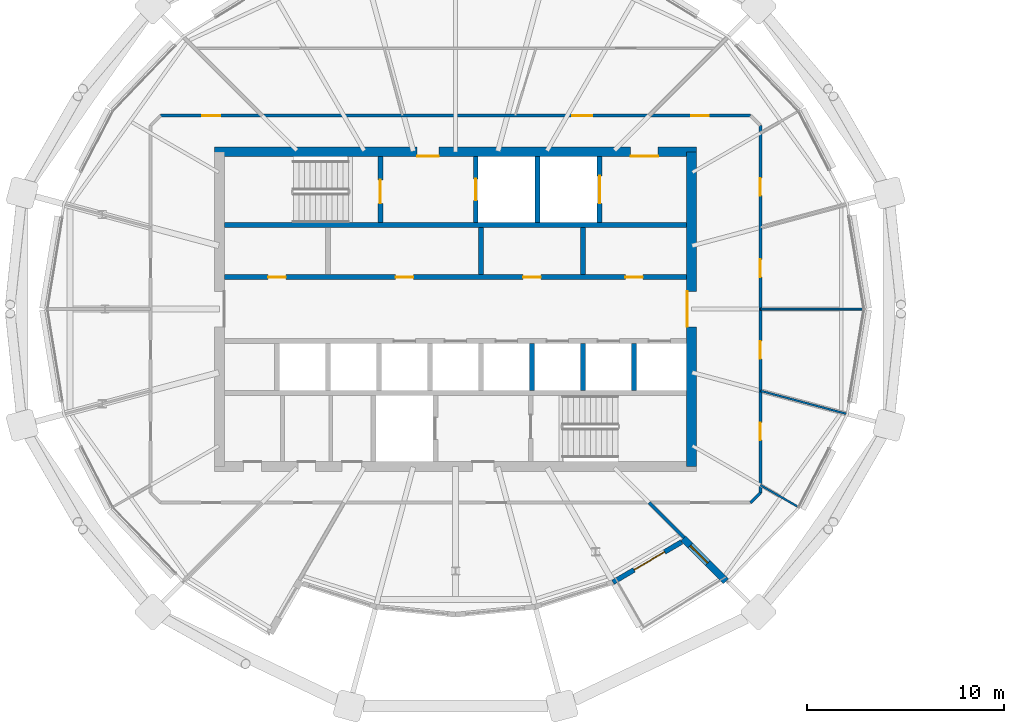
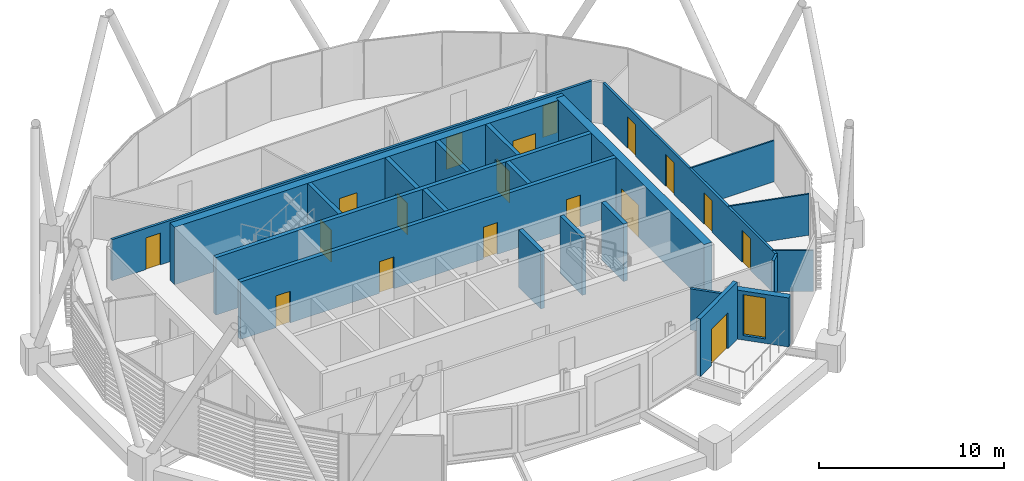
# One storey, part 22 of 34: 22 walls, 18 doors, 1 window, 19 openings.
"""IFC4 building model written with IfcOpenShell, lengths in metres."""

from ifc_helpers import new_model, si_unit, direction, frame, frame_2d, origin, place, context, subcontext, project, spatial, rectangle, extrude, material, layer, layer_set, type_object, element, fill, save


model = new_model("IFC4")

# Units and contexts
model_context = context("Model", 3, precision=1e-05, world=origin(), true_north=direction((0.0, 1.0)))
body_context = subcontext(model_context, "Body", "Model", "MODEL_VIEW")
ifc_project = project(units=[si_unit("LENGTHUNIT", "METRE"), si_unit("AREAUNIT", "SQUARE_METRE"), si_unit("VOLUMEUNIT", "CUBIC_METRE"), si_unit("PLANEANGLEUNIT", "RADIAN"), si_unit("MASSUNIT", "GRAM", prefix="KILO")], contexts=[model_context])

# Site, building, storey
site_placement = place(None, origin())
site = spatial("IfcSite", under=ifc_project, at=site_placement, CompositionType="ELEMENT")
building_placement = place(site_placement, origin())
building = spatial("IfcBuilding", under=site, at=building_placement, Name="Rimbun Link Towers", CompositionType="ELEMENT")
storey_placement = place(building_placement, frame((0.0, 0.0, 221.89990234375)))
storey = spatial("IfcBuildingStorey", under=building, at=storey_placement, Name="L54", CompositionType="ELEMENT", Elevation=221.89990234375)

# Wall, opening, door
ifc_material_1 = material(Name="Dark enamelled glass spandrel on insulated aluminium backpan", Category="aluminium")
ifc_layer_1 = layer(ifc_material_1, 0.25)
ifc_layer_set_1 = layer_set([ifc_layer_1], Name="CS dark enamelled spandrel wall 250")
wall_type_1 = type_object("IfcWallType", Name="CS dark enamelled spandrel wall 250", PredefinedType="STANDARD", material=ifc_layer_set_1)
wall_1_placement = place(storey_placement, frame((-20.258544921875, -11.844970703125, 0.0), z_axis=(0.0, 0.0, 1.0), x_axis=(-0.86231432339, -0.506373387606, 0.0)))
wall_1 = element("IfcWall", 1, at=wall_1_placement, inside=storey, type_object=wall_type_1, Name="Crease spandrel wall", PredefinedType="STANDARD", context=body_context, shape_type="SweptSolid", body=[
    extrude(rectangle(XDim=4.042724609375, YDim=0.25, at=frame_2d((2.021484375, 0.0))), origin(), (0.0, 0.0, 1.0), 3.800048828125),
])
opening_1_placement = place(wall_1_placement, frame((1.00146484375, 0.0, 0.0)))
opening_1 = element("IfcOpeningElement", 2, at=opening_1_placement, cuts=wall_1, Name="Opening ED81", PredefinedType="OPENING", context=body_context, shape_type="SweptSolid", body=[
    extrude(rectangle(XDim=1.800048828125, YDim=2.39990234375, at=frame_2d((0.89990234375, 1.199951171875))), frame((0.0, 0.135009765625, 0.0), z_axis=(0.0, -1.0, 0.0), x_axis=(1.0, 0.0, 0.0)), (0.0, 0.0, 1.0), 0.27001953125),
])
ifc_material_2 = material(Name="Aluminium framed glazed door, low-iron glass", Category="aluminium")
door_type_1 = type_object("IfcDoorType", Name="ED terrace door double leaf 1800X2400", OperationType="DOUBLE_DOOR_SINGLE_SWING", PredefinedType="DOOR", material=ifc_material_2)
door_1_placement = place(opening_1_placement, origin())
door_1 = element("IfcDoor", 3, at=door_1_placement, inside=storey, type_object=door_type_1, Name="Terrace door", OperationType="SINGLE_SWING_LEFT", OverallHeight=2.39990234375, OverallWidth=1.800048828125, PredefinedType="DOOR", context=body_context, shape_type="SweptSolid", body=[
    extrude(rectangle(XDim=1.800048828125, YDim=2.39990234375, at=frame_2d((0.89990234375, 1.199951171875))), frame((0.0, 0.02490234375, 0.0), z_axis=(0.0, -1.0, 0.0), x_axis=(1.0, 0.0, 0.0)), (0.0, 0.0, 1.0), 0.050048828125),
])
fill(opening_1, door_1)

# Wall, opening, window
ifc_material_3 = material(Name="Dark enamelled glass spandrel on insulated aluminium backpan", Category="aluminium")
ifc_layer_2 = layer(ifc_material_3, 0.3701171875)
ifc_layer_set_2 = layer_set([ifc_layer_2], Name="CS dark enamelled spandrel wall 370")
wall_type_2 = type_object("IfcWallType", Name="CS dark enamelled spandrel wall 370", PredefinedType="STANDARD", material=ifc_layer_set_2)
wall_2_placement = place(storey_placement, frame((-17.9951171875, -13.846923828125, 0.0), z_axis=(0.0, 0.0, 1.0), x_axis=(-0.707106781187, 0.707106781187, 0.0)))
wall_2 = element("IfcWall", 4, at=wall_2_placement, inside=storey, type_object=wall_type_2, Name="Crease spandrel wall", PredefinedType="STANDARD", context=body_context, shape_type="SweptSolid", body=[
    extrude(rectangle(XDim=3.080078125, YDim=0.3701171875, at=frame_2d((1.5400390625, 0.0))), origin(), (0.0, 0.0, 1.0), 3.24365234375),
])
opening_2_placement = place(wall_2_placement, frame((1.322265625, 0.0, 0.300048828125)))
opening_2 = element("IfcOpeningElement", 5, at=opening_2_placement, cuts=wall_2, Name="Opening WR12H270", PredefinedType="OPENING", context=body_context, shape_type="SweptSolid", body=[
    extrude(rectangle(XDim=1.25, YDim=2.699951171875, at=frame_2d((0.625, 1.35009765625))), frame((0.0, 0.195068359375, 0.0), z_axis=(0.0, -1.0, 0.0), x_axis=(1.0, 0.0, 0.0)), (0.0, 0.0, 1.0), 0.39013671875),
])
ifc_material_4 = material(Name="Aluminium framed fixed window, dark tinted low-e glass", Category="aluminium")
window_type = type_object("IfcWindowType", Name="WR ribbon window 1250X2700", PartitioningType="SINGLE_PANEL", PredefinedType="WINDOW", material=ifc_material_4)
window_placement = place(opening_2_placement, origin())
window = element("IfcWindow", 6, at=window_placement, inside=storey, type_object=window_type, Name="Crease ribbon window", OverallHeight=2.699951171875, OverallWidth=1.25, PartitioningType="SINGLE_PANEL", PredefinedType="WINDOW", context=body_context, shape_type="SweptSolid", body=[
    extrude(rectangle(XDim=1.25, YDim=2.699951171875, at=frame_2d((0.625, 1.35009765625))), frame((0.0, 0.030029296875, 0.0), z_axis=(0.0, -1.0, 0.0), x_axis=(1.0, 0.0, 0.0)), (0.0, 0.0, 1.0), 0.06005859375),
])
fill(opening_2, window)

# Wall, openings, doors
ifc_material_5 = material(Name="Concrete C60/75", Category="concrete")
ifc_layer_3 = layer(ifc_material_5, 0.5)
ifc_layer_set_3 = layer_set([ifc_layer_3], Name="Core shear wall 500")
wall_type_3 = type_object("IfcWallType", Name="Core shear wall 500", PredefinedType="SHEAR", material=ifc_layer_set_3)
wall_3_placement = place(storey_placement, frame((-44.0, 8.0, 0.0), z_axis=(0.0, 0.0, 1.0), x_axis=(1.0, 0.0, 0.0)))
wall_3 = element("IfcWall", 7, at=wall_3_placement, inside=storey, type_object=wall_type_3, Name="L54 T1 core wall N", PredefinedType="SHEAR", context=body_context, shape_type="SweptSolid", body=[
    extrude(rectangle(XDim=24.5, YDim=0.5, at=frame_2d((12.25, 0.0))), origin(), (0.0, 0.0, 1.0), 3.800048828125),
])
opening_3_placement = place(wall_3_placement, frame((10.300048828125, 0.0, 0.0)))
opening_3 = element("IfcOpeningElement", 8, at=opening_3_placement, cuts=wall_3, Name="Opening C1DCF01N", PredefinedType="OPENING", context=body_context, shape_type="SweptSolid", body=[
    extrude(rectangle(XDim=1.10009765625, YDim=2.10009765625, at=frame_2d((0.550048828125, 1.050048828125))), frame((0.0, 0.260009765625, 0.0), z_axis=(0.0, -1.0, 0.0), x_axis=(1.0, 0.0, 0.0)), (0.0, 0.0, 1.0), 0.52001953125),
])
opening_4_placement = place(wall_3_placement, frame((21.14990234375, 0.0, 0.0)))
opening_4 = element("IfcOpeningElement", 9, at=opening_4_placement, cuts=wall_3, Name="Opening C1DSL02N", PredefinedType="OPENING", context=body_context, shape_type="SweptSolid", body=[
    extrude(rectangle(XDim=1.39990234375, YDim=2.10009765625, at=frame_2d((0.699951171875, 1.050048828125))), frame((0.0, 0.260009765625, 0.0), z_axis=(0.0, -1.0, 0.0), x_axis=(1.0, 0.0, 0.0)), (0.0, 0.0, 1.0), 0.52001953125),
])
ifc_material_6 = material(Name="Steel fire door set", Category="steel")
door_type_2 = type_object("IfcDoorType", Name="Core fire door single", OperationType="SINGLE_SWING_LEFT", PredefinedType="DOOR", material=ifc_material_6)
door_2_placement = place(opening_3_placement, origin())
door_2 = element("IfcDoor", 10, at=door_2_placement, inside=storey, type_object=door_type_2, Name="L54 T1 firefighting lobby n door", OperationType="SINGLE_SWING_LEFT", OverallHeight=2.10009765625, OverallWidth=1.10009765625, PredefinedType="DOOR", context=body_context, shape_type="SweptSolid", body=[
    extrude(rectangle(XDim=1.10009765625, YDim=2.10009765625, at=frame_2d((0.550048828125, 1.050048828125))), frame((0.0, -0.2001953125, 0.0), z_axis=(0.0, -1.0, 0.0), x_axis=(1.0, 0.0, 0.0)), (0.0, 0.0, 1.0), 0.050048828125),
])
fill(opening_3, door_2)
ifc_material_7 = material(Name="Steel fire door set", Category="steel")
door_type_3 = type_object("IfcDoorType", Name="Service lobby door double", OperationType="DOUBLE_DOOR_SINGLE_SWING", PredefinedType="DOOR", material=ifc_material_7)
door_3_placement = place(opening_4_placement, origin())
door_3 = element("IfcDoor", 11, at=door_3_placement, inside=storey, type_object=door_type_3, Name="L54 T1 service lobby door", OperationType="DOUBLE_DOOR_SINGLE_SWING", OverallHeight=2.10009765625, OverallWidth=1.39990234375, PredefinedType="DOOR", context=body_context, shape_type="SweptSolid", body=[
    extrude(rectangle(XDim=1.39990234375, YDim=2.10009765625, at=frame_2d((0.699951171875, 1.050048828125))), frame((0.0, -0.2001953125, 0.0), z_axis=(0.0, -1.0, 0.0), x_axis=(1.0, 0.0, 0.0)), (0.0, 0.0, 1.0), 0.050048828125),
])
fill(opening_4, door_3)

# Wall, opening, door
wall_4_placement = place(storey_placement, frame((-19.75, -8.0, 0.0), z_axis=(0.0, 0.0, 1.0), x_axis=(0.0, 1.0, 0.0)))
wall_4 = element("IfcWall", 12, at=wall_4_placement, inside=storey, type_object=wall_type_3, Name="L54 T1 core wall E", PredefinedType="SHEAR", context=body_context, shape_type="SweptSolid", body=[
    extrude(rectangle(XDim=16.0, YDim=0.5, at=frame_2d((8.0, 0.0))), origin(), (0.0, 0.0, 1.0), 3.800048828125),
])
opening_5_placement = place(wall_4_placement, frame((7.10009765625, 0.0, 0.0)))
opening_5 = element("IfcOpeningElement", 13, at=opening_5_placement, cuts=wall_4, Name="Opening C1DCL01E", PredefinedType="OPENING", context=body_context, shape_type="SweptSolid", body=[
    extrude(rectangle(XDim=1.800048828125, YDim=2.10009765625, at=frame_2d((0.89990234375, 1.050048828125))), frame((0.0, 0.260009765625, 0.0), z_axis=(0.0, -1.0, 0.0), x_axis=(1.0, 0.0, 0.0)), (0.0, 0.0, 1.0), 0.52001953125),
])
ifc_material_8 = material(Name="Steel fire door set", Category="steel")
door_type_4 = type_object("IfcDoorType", Name="Core lobby door double", OperationType="DOUBLE_DOOR_SINGLE_SWING", PredefinedType="DOOR", material=ifc_material_8)
door_4_placement = place(opening_5_placement, origin())
door_4 = element("IfcDoor", 14, at=door_4_placement, inside=storey, type_object=door_type_4, Name="L54 T1 lift lobby door", OperationType="DOUBLE_DOOR_SINGLE_SWING", OverallHeight=2.10009765625, OverallWidth=1.800048828125, PredefinedType="DOOR", context=body_context, shape_type="SweptSolid", body=[
    extrude(rectangle(XDim=1.800048828125, YDim=2.10009765625, at=frame_2d((0.89990234375, 1.050048828125))), frame((0.0, 0.25, 0.0), z_axis=(0.0, -1.0, 0.0), x_axis=(1.0, 0.0, 0.0)), (0.0, 0.0, 1.0), 0.050048828125),
])
fill(opening_5, door_4)

# Wall, openings, doors
ifc_material_9 = material(Name="Plasterboard on steel stud, mineral wool", Category="steel")
ifc_layer_4 = layer(ifc_material_9, 0.14990234375)
ifc_layer_set_4 = layer_set([ifc_layer_4], Name="Corridor wall EI 30 150 mm")
wall_type_4 = type_object("IfcWallType", Name="Corridor wall EI 30 150 mm", PredefinedType="PARTITIONING", material=ifc_layer_set_4)
wall_5_placement = place(storey_placement, frame((-46.753662109375, 9.844970703125, 0.0), z_axis=(0.0, 0.0, 1.0), x_axis=(1.0, 0.0, 0.0)))
wall_5 = element("IfcWall", 15, at=wall_5_placement, inside=storey, type_object=wall_type_4, Name="Corridor wall EI 30 150 mm", PredefinedType="PARTITIONING", context=body_context, shape_type="SweptSolid", body=[
    extrude(rectangle(XDim=30.00732421875, YDim=0.14990234375, at=frame_2d((15.003662109375, 0.0))), origin(), (0.0, 0.0, 1.0), 2.72216796875),
])
opening_6_placement = place(wall_5_placement, frame((26.97802734375, 0.0, 0.0)))
opening_6 = element("IfcOpeningElement", 16, at=opening_6_placement, cuts=wall_5, Name="Opening D02", PredefinedType="OPENING", context=body_context, shape_type="SweptSolid", body=[
    extrude(rectangle(XDim=0.89990234375, YDim=2.10009765625, at=frame_2d((0.449951171875, 1.050048828125))), frame((0.0, 0.0849609375, 0.0), z_axis=(0.0, -1.0, 0.0), x_axis=(1.0, 0.0, 0.0)), (0.0, 0.0, 1.0), 0.169921875),
])
opening_7_placement = place(wall_5_placement, frame((20.942138671875, 0.0, 0.0)))
opening_7 = element("IfcOpeningElement", 17, at=opening_7_placement, cuts=wall_5, Name="Opening D01", PredefinedType="OPENING", context=body_context, shape_type="SweptSolid", body=[
    extrude(rectangle(XDim=1.0, YDim=2.10009765625, at=frame_2d((0.5, 1.050048828125))), frame((0.0, 0.0849609375, 0.0), z_axis=(0.0, -1.0, 0.0), x_axis=(1.0, 0.0, 0.0)), (0.0, 0.0, 1.0), 0.169921875),
])
opening_8_placement = place(wall_5_placement, frame((2.12939453125, 0.0, 0.0)))
opening_8 = element("IfcOpeningElement", 18, at=opening_8_placement, cuts=wall_5, Name="Opening D02", PredefinedType="OPENING", context=body_context, shape_type="SweptSolid", body=[
    extrude(rectangle(XDim=0.89990234375, YDim=2.10009765625, at=frame_2d((0.449951171875, 1.050048828125))), frame((0.0, 0.0849609375, 0.0), z_axis=(0.0, -1.0, 0.0), x_axis=(1.0, 0.0, 0.0)), (0.0, 0.0, 1.0), 0.169921875),
])
ifc_material_10 = material(Name="Fire-resisting timber door leaf", Category="wood")
door_type_5 = type_object("IfcDoorType", Name="Fire door FD30S 1000", OperationType="NOTDEFINED", PredefinedType="DOOR", material=ifc_material_10)
door_5_placement = place(opening_7_placement, origin())
door_5 = element("IfcDoor", 19, at=door_5_placement, inside=storey, type_object=door_type_5, Name="Fire door FD30S 1000 to Reception", OperationType="SINGLE_SWING_LEFT", OverallHeight=2.10009765625, OverallWidth=1.0, PredefinedType="DOOR", context=body_context, shape_type="SweptSolid", body=[
    extrude(rectangle(XDim=1.0, YDim=2.10009765625, at=frame_2d((0.5, 1.050048828125))), frame((0.0, 0.02490234375, 0.0), z_axis=(0.0, -1.0, 0.0), x_axis=(1.0, 0.0, 0.0)), (0.0, 0.0, 1.0), 0.050048828125),
])
fill(opening_7, door_5)
ifc_material_11 = material(Name="Fire-resisting timber door leaf", Category="wood")
door_type_6 = type_object("IfcDoorType", Name="Fire door FD30S 900", OperationType="NOTDEFINED", PredefinedType="DOOR", material=ifc_material_11)
door_6_placement = place(opening_6_placement, origin())
door_6 = element("IfcDoor", 20, at=door_6_placement, inside=storey, type_object=door_type_6, Name="Fire door FD30S 900 to Executive office", OperationType="SINGLE_SWING_RIGHT", OverallHeight=2.10009765625, OverallWidth=0.89990234375, PredefinedType="DOOR", context=body_context, shape_type="SweptSolid", body=[
    extrude(rectangle(XDim=0.89990234375, YDim=2.10009765625, at=frame_2d((0.449951171875, 1.050048828125))), frame((0.0, 0.02490234375, 0.0), z_axis=(0.0, -1.0, 0.0), x_axis=(1.0, 0.0, 0.0)), (0.0, 0.0, 1.0), 0.050048828125),
])
fill(opening_6, door_6)
door_7_placement = place(opening_8_placement, origin())
door_7 = element("IfcDoor", 21, at=door_7_placement, inside=storey, type_object=door_type_6, Name="Fire door FD30S 900 to Boardroom", OperationType="SINGLE_SWING_RIGHT", OverallHeight=2.10009765625, OverallWidth=0.89990234375, PredefinedType="DOOR", context=body_context, shape_type="SweptSolid", body=[
    extrude(rectangle(XDim=0.89990234375, YDim=2.10009765625, at=frame_2d((0.449951171875, 1.050048828125))), frame((0.0, 0.02490234375, 0.0), z_axis=(0.0, -1.0, 0.0), x_axis=(1.0, 0.0, 0.0)), (0.0, 0.0, 1.0), 0.050048828125),
])
fill(opening_8, door_7)

wall_6_placement = place(storey_placement, frame((-16.2451171875, 9.34375, 0.0), z_axis=(0.0, 0.0, 1.0), x_axis=(0.0, -1.0, 0.0)))
wall_6 = element("IfcWall", 22, at=wall_6_placement, inside=storey, type_object=wall_type_4, Name="Corridor wall EI 30 150 mm", PredefinedType="PARTITIONING", context=body_context, shape_type="SweptSolid", body=[
    extrude(rectangle(XDim=18.6875, YDim=0.14990234375, at=frame_2d((9.34375, 0.0))), origin(), (0.0, 0.0, 1.0), 2.72216796875),
])
opening_9_placement = place(wall_6_placement, frame((15.111083984375, 0.0, 0.0)))
opening_9 = element("IfcOpeningElement", 23, at=opening_9_placement, cuts=wall_6, Name="Opening D02", PredefinedType="OPENING", context=body_context, shape_type="SweptSolid", body=[
    extrude(rectangle(XDim=0.89990234375, YDim=2.10009765625, at=frame_2d((0.449951171875, 1.050048828125))), frame((0.0, 0.0849609375, 0.0), z_axis=(0.0, -1.0, 0.0), x_axis=(1.0, 0.0, 0.0)), (0.0, 0.0, 1.0), 0.169921875),
])
opening_10_placement = place(wall_6_placement, frame((10.970947265625, 0.0, 0.0)))
opening_10 = element("IfcOpeningElement", 24, at=opening_10_placement, cuts=wall_6, Name="Opening D02", PredefinedType="OPENING", context=body_context, shape_type="SweptSolid", body=[
    extrude(rectangle(XDim=0.89990234375, YDim=2.10009765625, at=frame_2d((0.449951171875, 1.050048828125))), frame((0.0, 0.0849609375, 0.0), z_axis=(0.0, -1.0, 0.0), x_axis=(1.0, 0.0, 0.0)), (0.0, 0.0, 1.0), 0.169921875),
])
opening_11_placement = place(wall_6_placement, frame((6.81640625, 0.0, 0.0)))
opening_11 = element("IfcOpeningElement", 25, at=opening_11_placement, cuts=wall_6, Name="Opening D02", PredefinedType="OPENING", context=body_context, shape_type="SweptSolid", body=[
    extrude(rectangle(XDim=0.89990234375, YDim=2.10009765625, at=frame_2d((0.449951171875, 1.050048828125))), frame((0.0, 0.0849609375, 0.0), z_axis=(0.0, -1.0, 0.0), x_axis=(1.0, 0.0, 0.0)), (0.0, 0.0, 1.0), 0.169921875),
])
opening_12_placement = place(wall_6_placement, frame((2.676513671875, 0.0, 0.0)))
opening_12 = element("IfcOpeningElement", 26, at=opening_12_placement, cuts=wall_6, Name="Opening D02", PredefinedType="OPENING", context=body_context, shape_type="SweptSolid", body=[
    extrude(rectangle(XDim=0.89990234375, YDim=2.10009765625, at=frame_2d((0.449951171875, 1.050048828125))), frame((0.0, 0.0849609375, 0.0), z_axis=(0.0, -1.0, 0.0), x_axis=(1.0, 0.0, 0.0)), (0.0, 0.0, 1.0), 0.169921875),
])
door_8_placement = place(opening_9_placement, origin())
door_8 = element("IfcDoor", 27, at=door_8_placement, inside=storey, type_object=door_type_6, Name="Fire door FD30S 900 to Executive office", OperationType="SINGLE_SWING_RIGHT", OverallHeight=2.10009765625, OverallWidth=0.89990234375, PredefinedType="DOOR", context=body_context, shape_type="SweptSolid", body=[
    extrude(rectangle(XDim=0.89990234375, YDim=2.10009765625, at=frame_2d((0.449951171875, 1.050048828125))), frame((0.0, 0.02490234375, 0.0), z_axis=(0.0, -1.0, 0.0), x_axis=(1.0, 0.0, 0.0)), (0.0, 0.0, 1.0), 0.050048828125),
])
fill(opening_9, door_8)
door_9_placement = place(opening_10_placement, origin())
door_9 = element("IfcDoor", 28, at=door_9_placement, inside=storey, type_object=door_type_6, Name="Fire door FD30S 900 to Open office", OperationType="SINGLE_SWING_LEFT", OverallHeight=2.10009765625, OverallWidth=0.89990234375, PredefinedType="DOOR", context=body_context, shape_type="SweptSolid", body=[
    extrude(rectangle(XDim=0.89990234375, YDim=2.10009765625, at=frame_2d((0.449951171875, 1.050048828125))), frame((0.0, 0.02490234375, 0.0), z_axis=(0.0, -1.0, 0.0), x_axis=(1.0, 0.0, 0.0)), (0.0, 0.0, 1.0), 0.050048828125),
])
fill(opening_10, door_9)
door_10_placement = place(opening_11_placement, origin())
door_10 = element("IfcDoor", 29, at=door_10_placement, inside=storey, type_object=door_type_6, Name="Fire door FD30S 900 to Boardroom", OperationType="SINGLE_SWING_RIGHT", OverallHeight=2.10009765625, OverallWidth=0.89990234375, PredefinedType="DOOR", context=body_context, shape_type="SweptSolid", body=[
    extrude(rectangle(XDim=0.89990234375, YDim=2.10009765625, at=frame_2d((0.449951171875, 1.050048828125))), frame((0.0, 0.02490234375, 0.0), z_axis=(0.0, -1.0, 0.0), x_axis=(1.0, 0.0, 0.0)), (0.0, 0.0, 1.0), 0.050048828125),
])
fill(opening_11, door_10)
door_11_placement = place(opening_12_placement, origin())
door_11 = element("IfcDoor", 30, at=door_11_placement, inside=storey, type_object=door_type_6, Name="Fire door FD30S 900 to Meeting room", OperationType="SINGLE_SWING_LEFT", OverallHeight=2.10009765625, OverallWidth=0.89990234375, PredefinedType="DOOR", context=body_context, shape_type="SweptSolid", body=[
    extrude(rectangle(XDim=0.89990234375, YDim=2.10009765625, at=frame_2d((0.449951171875, 1.050048828125))), frame((0.0, 0.02490234375, 0.0), z_axis=(0.0, -1.0, 0.0), x_axis=(1.0, 0.0, 0.0)), (0.0, 0.0, 1.0), 0.050048828125),
])
fill(opening_12, door_11)

# Walls
wall_7_placement = place(storey_placement, frame((-16.746337890625, -9.844970703125, 0.0), z_axis=(0.0, 0.0, 1.0), x_axis=(0.707106781187, 0.707106781187, 0.0)))
element("IfcWall", 31, at=wall_7_placement, inside=storey, type_object=wall_type_4, Name="Corridor wall EI 30 150 mm", PredefinedType="PARTITIONING", context=body_context, shape_type="SweptSolid", body=[
    extrude(rectangle(XDim=0.708740234375, YDim=0.14990234375, at=frame_2d((0.3544921875, 0.0))), origin(), (0.0, 0.0, 1.0), 2.72216796875),
])
ifc_material_12 = material(Name="Plasterboard on steel stud", Category="steel")
ifc_layer_5 = layer(ifc_material_12, 0.10009765625)
ifc_layer_set_5 = layer_set([ifc_layer_5], Name="Plasterboard partition 100 mm")
wall_type_5 = type_object("IfcWallType", Name="Plasterboard partition 100 mm", PredefinedType="PARTITIONING", material=ifc_layer_set_5)
wall_8_placement = place(storey_placement, frame((-14.331787109375, -10.056396484375, 0.0), z_axis=(0.0, 0.0, 1.0), x_axis=(-0.866058613861, 0.499942474047, 0.0)))
element("IfcWall", 32, at=wall_8_placement, inside=storey, type_object=wall_type_5, Name="Plasterboard partition 100 mm", PredefinedType="PARTITIONING", context=body_context, shape_type="SweptSolid", body=[
    extrude(rectangle(XDim=2.209228515625, YDim=0.10009765625, at=frame_2d((1.1044921875, 0.0))), origin(), (0.0, 0.0, 1.0), 2.72216796875),
])
wall_9_placement = place(storey_placement, frame((-11.8828125, -5.323486328125, 0.0), z_axis=(0.0, 0.0, 1.0), x_axis=(-0.965921990313, 0.258833360735, 0.0)))
element("IfcWall", 33, at=wall_9_placement, inside=storey, type_object=wall_type_5, Name="Plasterboard partition 100 mm", PredefinedType="PARTITIONING", context=body_context, shape_type="SweptSolid", body=[
    extrude(rectangle(XDim=4.51611328125, YDim=0.10009765625, at=frame_2d((2.258056640625, 0.0))), origin(), (0.0, 0.0, 1.0), 2.72216796875),
])
wall_10_placement = place(storey_placement, frame((-11.00732421875, 0.0, 0.0), z_axis=(0.0, 0.0, 1.0), x_axis=(-1.0, 0.0, 0.0)))
element("IfcWall", 34, at=wall_10_placement, inside=storey, type_object=wall_type_5, Name="Plasterboard partition 100 mm", PredefinedType="PARTITIONING", context=body_context, shape_type="SweptSolid", body=[
    extrude(rectangle(XDim=5.23779296875, YDim=0.10009765625, at=frame_2d((2.618896484375, 0.0))), origin(), (0.0, 0.0, 1.0), 2.72216796875),
])
ifc_material_13 = material(Name="Concrete C60/75", Category="concrete")
ifc_layer_6 = layer(ifc_material_13, 0.25)
ifc_layer_set_6 = layer_set([ifc_layer_6], Name="Shaft wall 250")
wall_type_6 = type_object("IfcWallType", Name="Shaft wall 250", PredefinedType="SHEAR", material=ifc_layer_set_6)
wall_11_placement = place(storey_placement, frame((-43.5, 4.27490234375, 0.0), z_axis=(0.0, 0.0, 1.0), x_axis=(1.0, 0.0, 0.0)))
element("IfcWall", 35, at=wall_11_placement, inside=storey, type_object=wall_type_6, Name="L54 T1 core wall BN", PredefinedType="SHEAR", context=body_context, shape_type="SweptSolid", body=[
    extrude(rectangle(XDim=23.5, YDim=0.25, at=frame_2d((11.75, 0.0))), origin(), (0.0, 0.0, 1.0), 3.800048828125),
])

# Wall, openings, doors
wall_12_placement = place(storey_placement, frame((-43.5, 1.625, 0.0), z_axis=(0.0, 0.0, 1.0), x_axis=(1.0, 0.0, 0.0)))
wall_12 = element("IfcWall", 36, at=wall_12_placement, inside=storey, type_object=wall_type_6, Name="L54 T1 core wall FN", PredefinedType="SHEAR", context=body_context, shape_type="SweptSolid", body=[
    extrude(rectangle(XDim=23.5, YDim=0.25, at=frame_2d((11.75, 0.0))), origin(), (0.0, 0.0, 1.0), 3.800048828125),
])
opening_13_placement = place(wall_12_placement, frame((2.219482421875, 0.0, 0.0)))
opening_13 = element("IfcOpeningElement", 37, at=opening_13_placement, cuts=wall_12, Name="Opening C1DRS01FN", PredefinedType="OPENING", context=body_context, shape_type="SweptSolid", body=[
    extrude(rectangle(XDim=0.89990234375, YDim=2.10009765625, at=frame_2d((0.449951171875, 1.050048828125))), frame((0.0, 0.135009765625, 0.0), z_axis=(0.0, -1.0, 0.0), x_axis=(1.0, 0.0, 0.0)), (0.0, 0.0, 1.0), 0.27001953125),
])
opening_14_placement = place(wall_12_placement, frame((8.70556640625, 0.0, 0.0)))
opening_14 = element("IfcOpeningElement", 38, at=opening_14_placement, cuts=wall_12, Name="Opening C1DRS02FN", PredefinedType="OPENING", context=body_context, shape_type="SweptSolid", body=[
    extrude(rectangle(XDim=0.89990234375, YDim=2.10009765625, at=frame_2d((0.449951171875, 1.050048828125))), frame((0.0, 0.135009765625, 0.0), z_axis=(0.0, -1.0, 0.0), x_axis=(1.0, 0.0, 0.0)), (0.0, 0.0, 1.0), 0.27001953125),
])
opening_15_placement = place(wall_12_placement, frame((15.191650390625, 0.0, 0.0)))
opening_15 = element("IfcOpeningElement", 39, at=opening_15_placement, cuts=wall_12, Name="Opening C1DRS03FN", PredefinedType="OPENING", context=body_context, shape_type="SweptSolid", body=[
    extrude(rectangle(XDim=0.89990234375, YDim=2.10009765625, at=frame_2d((0.449951171875, 1.050048828125))), frame((0.0, 0.135009765625, 0.0), z_axis=(0.0, -1.0, 0.0), x_axis=(1.0, 0.0, 0.0)), (0.0, 0.0, 1.0), 0.27001953125),
])
opening_16_placement = place(wall_12_placement, frame((20.380615234375, 0.0, 0.0)))
opening_16 = element("IfcOpeningElement", 40, at=opening_16_placement, cuts=wall_12, Name="Opening C1DRS04FN", PredefinedType="OPENING", context=body_context, shape_type="SweptSolid", body=[
    extrude(rectangle(XDim=0.89990234375, YDim=2.10009765625, at=frame_2d((0.449951171875, 1.050048828125))), frame((0.0, 0.135009765625, 0.0), z_axis=(0.0, -1.0, 0.0), x_axis=(1.0, 0.0, 0.0)), (0.0, 0.0, 1.0), 0.27001953125),
])
ifc_material_14 = material(Name="Steel fire door set", Category="steel")
door_type_7 = type_object("IfcDoorType", Name="Core riser door", OperationType="SINGLE_SWING_LEFT", PredefinedType="DOOR", material=ifc_material_14)
door_12_placement = place(opening_13_placement, origin())
door_12 = element("IfcDoor", 41, at=door_12_placement, inside=storey, type_object=door_type_7, Name="L54 T1 first aid room door", OperationType="SINGLE_SWING_LEFT", OverallHeight=2.10009765625, OverallWidth=0.89990234375, PredefinedType="DOOR", context=body_context, shape_type="SweptSolid", body=[
    extrude(rectangle(XDim=0.89990234375, YDim=2.10009765625, at=frame_2d((0.449951171875, 1.050048828125))), frame((0.0, 0.02490234375, 0.0), z_axis=(0.0, -1.0, 0.0), x_axis=(1.0, 0.0, 0.0)), (0.0, 0.0, 1.0), 0.050048828125),
])
fill(opening_13, door_12)
door_13_placement = place(opening_14_placement, origin())
door_13 = element("IfcDoor", 42, at=door_13_placement, inside=storey, type_object=door_type_7, Name="L54 T1 plant room door", OperationType="SINGLE_SWING_LEFT", OverallHeight=2.10009765625, OverallWidth=0.89990234375, PredefinedType="DOOR", context=body_context, shape_type="SweptSolid", body=[
    extrude(rectangle(XDim=0.89990234375, YDim=2.10009765625, at=frame_2d((0.449951171875, 1.050048828125))), frame((0.0, 0.02490234375, 0.0), z_axis=(0.0, -1.0, 0.0), x_axis=(1.0, 0.0, 0.0)), (0.0, 0.0, 1.0), 0.050048828125),
])
fill(opening_14, door_13)
door_14_placement = place(opening_15_placement, origin())
door_14 = element("IfcDoor", 43, at=door_14_placement, inside=storey, type_object=door_type_7, Name="L54 T1 archive store door", OperationType="SINGLE_SWING_LEFT", OverallHeight=2.10009765625, OverallWidth=0.89990234375, PredefinedType="DOOR", context=body_context, shape_type="SweptSolid", body=[
    extrude(rectangle(XDim=0.89990234375, YDim=2.10009765625, at=frame_2d((0.449951171875, 1.050048828125))), frame((0.0, 0.02490234375, 0.0), z_axis=(0.0, -1.0, 0.0), x_axis=(1.0, 0.0, 0.0)), (0.0, 0.0, 1.0), 0.050048828125),
])
fill(opening_15, door_14)
door_15_placement = place(opening_16_placement, origin())
door_15 = element("IfcDoor", 44, at=door_15_placement, inside=storey, type_object=door_type_7, Name="L54 T1 pantry door", OperationType="SINGLE_SWING_RIGHT", OverallHeight=2.10009765625, OverallWidth=0.89990234375, PredefinedType="DOOR", context=body_context, shape_type="SweptSolid", body=[
    extrude(rectangle(XDim=0.89990234375, YDim=2.10009765625, at=frame_2d((0.449951171875, 1.050048828125))), frame((0.0, 0.02490234375, 0.0), z_axis=(0.0, -1.0, 0.0), x_axis=(1.0, 0.0, 0.0)), (0.0, 0.0, 1.0), 0.050048828125),
])
fill(opening_16, door_15)

# Walls
for number, where, z_axis, x_axis, name in (
    (45, (-30.452880859375, 1.75, 0.0), (0.0, 0.0, 1.0), (0.0, 1.0, 0.0), "L54 T1 core wall DN4"),
    (46, (-25.263916015625, 1.75, 0.0), (0.0, 0.0, 1.0), (0.0, 1.0, 0.0), "L54 T1 core wall DN6"),
    (47, (-27.8583984375, -4.14990234375, 0.0), (0.0, 0.0, 1.0), (0.0, 1.0, 0.0), "L54 T1 core wall DS5"),
    (48, (-25.263916015625, -4.14990234375, 0.0), (0.0, 0.0, 1.0), (0.0, 1.0, 0.0), "L54 T1 core wall DS6"),
    (49, (-22.66943359375, -4.14990234375, 0.0), (0.0, 0.0, 1.0), (0.0, 1.0, 0.0), "L54 T1 core wall DS7"),
):
    element("IfcWall", number, at=place(storey_placement, frame(where, z_axis=z_axis, x_axis=x_axis)), inside=storey, type_object=wall_type_6, Name=name, PredefinedType="SHEAR", context=body_context, shape_type="SweptSolid", body=[
        extrude(rectangle(XDim=2.39990234375, YDim=0.25, at=frame_2d((1.199951171875, 0.0))), origin(), (0.0, 0.0, 1.0), 3.800048828125),
    ])

# Wall, opening, door
wall_13_placement = place(storey_placement, frame((-35.574951171875, 4.39990234375, 0.0), z_axis=(0.0, 0.0, 1.0), x_axis=(0.0, 1.0, 0.0)))
wall_13 = element("IfcWall", 50, at=wall_13_placement, inside=storey, type_object=wall_type_6, Name="L54 T1 core wall A1", PredefinedType="SHEAR", context=body_context, shape_type="SweptSolid", body=[
    extrude(rectangle(XDim=3.35009765625, YDim=0.25, at=frame_2d((1.675048828125, 0.0))), origin(), (0.0, 0.0, 1.0), 3.800048828125),
])
opening_17_placement = place(wall_13_placement, frame((0.97509765625, 0.0, 0.0)))
opening_17 = element("IfcOpeningElement", 51, at=opening_17_placement, cuts=wall_13, Name="Opening C1DST01A1", PredefinedType="OPENING", context=body_context, shape_type="SweptSolid", body=[
    extrude(rectangle(XDim=1.199951171875, YDim=2.10009765625, at=frame_2d((0.60009765625, 1.050048828125))), frame((0.0, 0.135009765625, 0.0), z_axis=(0.0, -1.0, 0.0), x_axis=(1.0, 0.0, 0.0)), (0.0, 0.0, 1.0), 0.27001953125),
])
ifc_material_15 = material(Name="Steel fire door set", Category="steel")
door_type_8 = type_object("IfcDoorType", Name="Stair door", OperationType="SINGLE_SWING_LEFT", PredefinedType="DOOR", material=ifc_material_15)
door_16_placement = place(opening_17_placement, origin())
door_16 = element("IfcDoor", 52, at=door_16_placement, inside=storey, type_object=door_type_8, Name="L54 T1 stair a door", OperationType="SINGLE_SWING_RIGHT", OverallHeight=2.10009765625, OverallWidth=1.199951171875, PredefinedType="DOOR", context=body_context, shape_type="SweptSolid", body=[
    extrude(rectangle(XDim=1.199951171875, YDim=2.10009765625, at=frame_2d((0.60009765625, 1.050048828125))), frame((0.0, 0.02490234375, 0.0), z_axis=(0.0, -1.0, 0.0), x_axis=(1.0, 0.0, 0.0)), (0.0, 0.0, 1.0), 0.050048828125),
])
fill(opening_17, door_16)

wall_14_placement = place(storey_placement, frame((-30.72509765625, 4.39990234375, 0.0), z_axis=(0.0, 0.0, 1.0), x_axis=(0.0, 1.0, 0.0)))
wall_14 = element("IfcWall", 53, at=wall_14_placement, inside=storey, type_object=wall_type_6, Name="L54 T1 core wall A2", PredefinedType="SHEAR", context=body_context, shape_type="SweptSolid", body=[
    extrude(rectangle(XDim=3.35009765625, YDim=0.25, at=frame_2d((1.675048828125, 0.0))), origin(), (0.0, 0.0, 1.0), 3.800048828125),
])
opening_18_placement = place(wall_14_placement, frame((1.125, 0.0, 0.0)))
opening_18 = element("IfcOpeningElement", 54, at=opening_18_placement, cuts=wall_14, Name="Opening LD-T1-FF1", PredefinedType="OPENING", context=body_context, shape_type="SweptSolid", body=[
    extrude(rectangle(XDim=1.10009765625, YDim=2.10009765625, at=frame_2d((0.550048828125, 1.050048828125))), frame((0.0, 0.135009765625, 0.0), z_axis=(0.0, -1.0, 0.0), x_axis=(1.0, 0.0, 0.0)), (0.0, 0.0, 1.0), 0.27001953125),
])
ifc_material_16 = material(Name="Stainless steel grade 316", Category="steel")
door_type_9 = type_object("IfcDoorType", Name="Lift landing door", OperationType="DOUBLE_DOOR_SLIDING", PredefinedType="DOOR", material=ifc_material_16)
door_17_placement = place(opening_18_placement, origin())
door_17 = element("IfcDoor", 55, at=door_17_placement, inside=storey, type_object=door_type_9, Name="L54 T1 lift FF1 landing door", OperationType="DOUBLE_DOOR_SLIDING", OverallHeight=2.10009765625, OverallWidth=1.10009765625, PredefinedType="DOOR", context=body_context, shape_type="SweptSolid", body=[
    extrude(rectangle(XDim=1.10009765625, YDim=2.10009765625, at=frame_2d((0.550048828125, 1.050048828125))), frame((0.0, 0.02490234375, 0.0), z_axis=(0.0, -1.0, 0.0), x_axis=(1.0, 0.0, 0.0)), (0.0, 0.0, 1.0), 0.050048828125),
])
fill(opening_18, door_17)

# Wall
wall_15_placement = place(storey_placement, frame((-27.574951171875, 4.39990234375, 0.0), z_axis=(0.0, 0.0, 1.0), x_axis=(0.0, 1.0, 0.0)))
element("IfcWall", 56, at=wall_15_placement, inside=storey, type_object=wall_type_6, Name="L54 T1 core wall A3", PredefinedType="SHEAR", context=body_context, shape_type="SweptSolid", body=[
    extrude(rectangle(XDim=3.35009765625, YDim=0.25, at=frame_2d((1.675048828125, 0.0))), origin(), (0.0, 0.0, 1.0), 3.800048828125),
])

# Wall, opening, door
wall_16_placement = place(storey_placement, frame((-24.425048828125, 4.39990234375, 0.0), z_axis=(0.0, 0.0, 1.0), x_axis=(0.0, 1.0, 0.0)))
wall_16 = element("IfcWall", 57, at=wall_16_placement, inside=storey, type_object=wall_type_6, Name="L54 T1 core wall A4", PredefinedType="SHEAR", context=body_context, shape_type="SweptSolid", body=[
    extrude(rectangle(XDim=3.35009765625, YDim=0.25, at=frame_2d((1.675048828125, 0.0))), origin(), (0.0, 0.0, 1.0), 3.800048828125),
])
opening_19_placement = place(wall_16_placement, frame((0.97509765625, 0.0, 0.0)))
opening_19 = element("IfcOpeningElement", 58, at=opening_19_placement, cuts=wall_16, Name="Opening LD-T1-GL1", PredefinedType="OPENING", context=body_context, shape_type="SweptSolid", body=[
    extrude(rectangle(XDim=1.39990234375, YDim=2.10009765625, at=frame_2d((0.699951171875, 1.050048828125))), frame((0.0, 0.135009765625, 0.0), z_axis=(0.0, -1.0, 0.0), x_axis=(1.0, 0.0, 0.0)), (0.0, 0.0, 1.0), 0.27001953125),
])
ifc_material_17 = material(Name="Stainless steel grade 316", Category="steel")
door_type_10 = type_object("IfcDoorType", Name="Goods lift landing door", OperationType="DOUBLE_DOOR_SLIDING", PredefinedType="DOOR", material=ifc_material_17)
door_18_placement = place(opening_19_placement, origin())
door_18 = element("IfcDoor", 59, at=door_18_placement, inside=storey, type_object=door_type_10, Name="L54 T1 lift GL1 landing door", OperationType="DOUBLE_DOOR_SLIDING", OverallHeight=2.10009765625, OverallWidth=1.39990234375, PredefinedType="DOOR", context=body_context, shape_type="SweptSolid", body=[
    extrude(rectangle(XDim=1.39990234375, YDim=2.10009765625, at=frame_2d((0.699951171875, 1.050048828125))), frame((0.0, 0.02490234375, 0.0), z_axis=(0.0, -1.0, 0.0), x_axis=(1.0, 0.0, 0.0)), (0.0, 0.0, 1.0), 0.050048828125),
])
fill(opening_19, door_18)

# Wall
ifc_material_18 = material(Name="Plasterboard on steel stud, mineral wool", Category="steel")
ifc_layer_7 = layer(ifc_material_18, 0.14990234375)
ifc_layer_set_7 = layer_set([ifc_layer_7], Name="Tenancy separation wall EI 60 150 mm")
wall_type_7 = type_object("IfcWallType", Name="Tenancy separation wall EI 60 150 mm", PredefinedType="PARTITIONING", material=ifc_layer_set_7)
wall_17_placement = place(storey_placement, frame((-21.905029296875, -9.844970703125, 0.0), z_axis=(0.0, 0.0, 1.0), x_axis=(0.707106781187, -0.707106781187, 0.0)))
element("IfcWall", 60, at=wall_17_placement, inside=storey, type_object=wall_type_7, Name="Tenancy separation wall EI 60 150 mm", PredefinedType="PARTITIONING", context=body_context, shape_type="SweptSolid", body=[
    extrude(rectangle(XDim=2.51416015625, YDim=0.14990234375, at=frame_2d((1.257080078125, 0.0))), origin(), (0.0, 0.0, 1.0), 2.72216796875),
])

save(model, "model.ifc")
